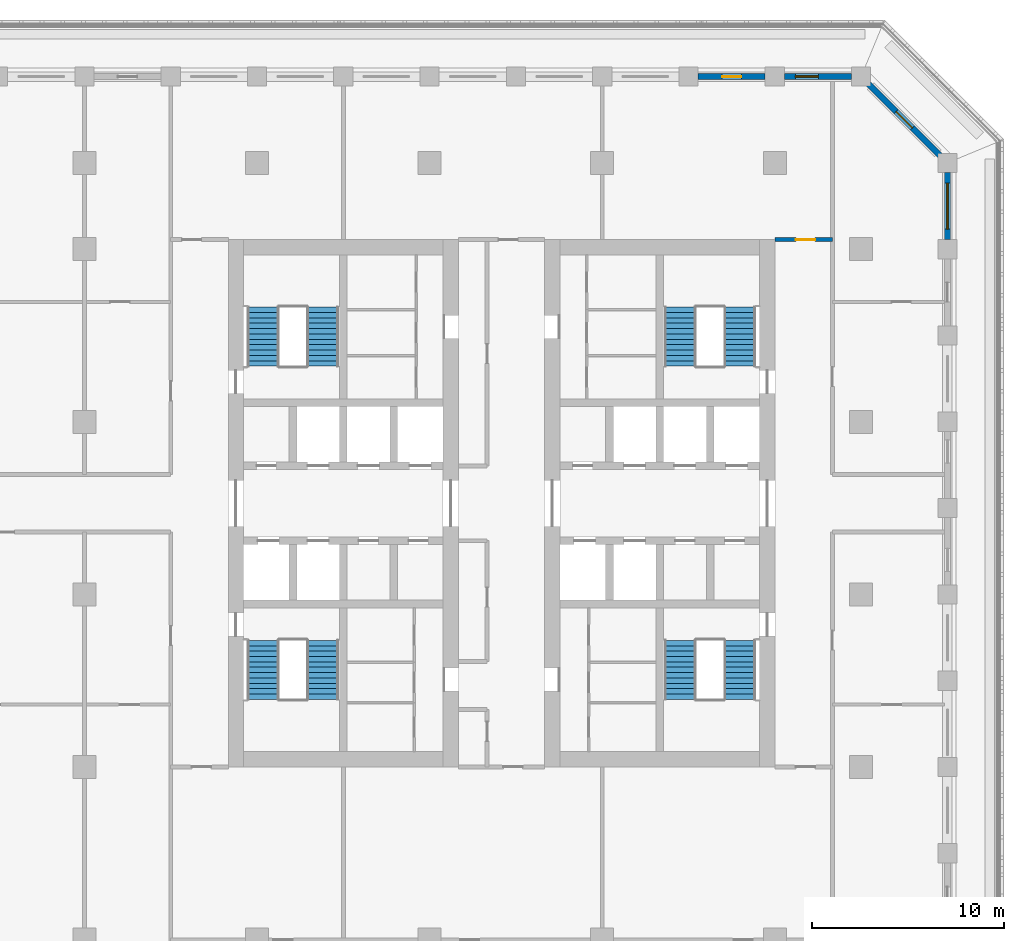
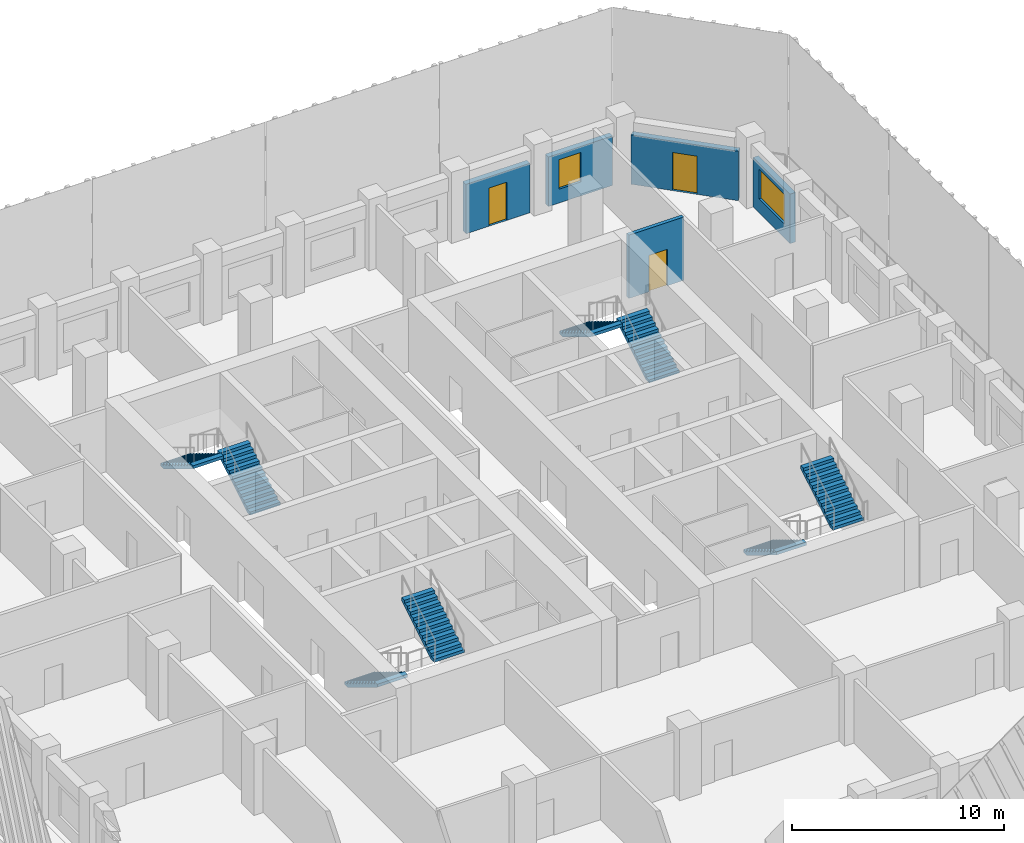
# One storey, part 8 of 16: 8 stair flights, 5 walls, 3 doors, 2 windows, 5 openings, 4 elements without a shape of their own.
"""IFC4 building model written with IfcOpenShell, lengths in metres."""

from ifc_helpers import new_model, si_unit, direction, frame, frame_2d, origin, place, context, subcontext, project, spatial, polyline, rectangle, outline, extrude, material, layer, layer_set, type_object, element, fill, aggregate, save


model = new_model("IFC4")

# Units and contexts
model_context = context("Model", 3, precision=1e-05, world=origin(), true_north=direction((0.0, 1.0)))
body_context = subcontext(model_context, "Body", "Model", "MODEL_VIEW")
ifc_project = project(units=[si_unit("LENGTHUNIT", "METRE"), si_unit("AREAUNIT", "SQUARE_METRE"), si_unit("VOLUMEUNIT", "CUBIC_METRE"), si_unit("PLANEANGLEUNIT", "RADIAN"), si_unit("MASSUNIT", "GRAM", prefix="KILO")], contexts=[model_context])

# Site, building, storey
site_placement = place(None, origin())
site = spatial("IfcSite", under=ifc_project, at=site_placement, CompositionType="ELEMENT")
building_placement = place(site_placement, origin())
building = spatial("IfcBuilding", under=site, at=building_placement, Name="Corbel Stack Research Tower", CompositionType="ELEMENT")
storey_placement = place(building_placement, frame((0.0, 0.0, 173.199951171875)))
storey = spatial("IfcBuildingStorey", under=building, at=storey_placement, Name="L39", CompositionType="ELEMENT", Elevation=173.199951171875)

# Wall, opening, door
ifc_material_1 = material(Name="Fire-rated gypsum board partition on steel studs", Category="steel")
ifc_layer_1 = layer(ifc_material_1, 0.199951171875)
ifc_layer_set_1 = layer_set([ifc_layer_1], Name="Fire-rated gypsum board partition on steel studs")
wall_type_1 = type_object("IfcWallType", Name="Fire-rated partition 200 EI 60", PredefinedType="PARTITIONING", material=ifc_layer_set_1)
wall_1_placement = place(storey_placement, frame((18.0, 18.5, 0.0), z_axis=(0.0, 0.0, 1.0), x_axis=(1.0, 0.0, 0.0)))
wall_1 = element("IfcWall", 1, at=wall_1_placement, inside=storey, type_object=wall_type_1, Name="Partition L39-044", PredefinedType="PARTITIONING", context=body_context, shape_type="SweptSolid", body=[
    extrude(rectangle(XDim=3.0, YDim=0.199951171875, at=frame_2d((1.5, 0.0))), origin(), (0.0, 0.0, 1.0), 3.650146484375),
])
opening_1_placement = place(wall_1_placement, frame((1.10009765625, 0.0, 0.0)))
opening_1 = element("IfcOpeningElement", 2, at=opening_1_placement, cuts=wall_1, Name="Opening B5V1-022", PredefinedType="OPENING", context=body_context, shape_type="SweptSolid", body=[
    extrude(rectangle(XDim=1.0, YDim=2.10009765625, at=frame_2d((0.5, 1.050048828125))), frame((0.0, 0.10986328125, 0.0), z_axis=(0.0, -1.0, 0.0), x_axis=(1.0, 0.0, 0.0)), (0.0, 0.0, 1.0), 0.219970703125),
])
ifc_material_2 = material(Name="Painted steel fire door", Category="steel")
door_type_1 = type_object("IfcDoorType", Name="Fire door FD30S 1000 x 2100", OperationType="NOTDEFINED", PredefinedType="DOOR", material=ifc_material_2)
door_1_placement = place(opening_1_placement, origin())
door_1 = element("IfcDoor", 3, at=door_1_placement, inside=storey, type_object=door_type_1, Name="Door B5V1-022", OperationType="SINGLE_SWING_RIGHT", OverallHeight=2.10009765625, OverallWidth=1.0, PredefinedType="DOOR", context=body_context, shape_type="SweptSolid", body=[
    extrude(rectangle(XDim=1.0, YDim=2.10009765625, at=frame_2d((0.5, 1.050048828125))), frame((0.0, 0.02490234375, 0.0), z_axis=(0.0, -1.0, 0.0), x_axis=(1.0, 0.0, 0.0)), (0.0, 0.0, 1.0), 0.050048828125),
])
fill(opening_1, door_1)

# Wall, opening, window
ifc_material_3 = material(Name="Concrete C45/55", Category="concrete")
ifc_layer_2 = layer(ifc_material_3, 0.300048828125)
ifc_layer_set_2 = layer_set([ifc_layer_2], Name="Concrete C45/55")
wall_type_2 = type_object("IfcWallType", Name="Terracotta-faced concrete wall 300", PredefinedType="SOLIDWALL", material=ifc_layer_set_2)
wall_2_placement = place(storey_placement, frame((27.0, 22.0, 0.0), z_axis=(0.0, 0.0, 1.0), x_axis=(0.0, -1.0, 0.0)))
wall_2 = element("IfcWall", 4, at=wall_2_placement, inside=storey, type_object=wall_type_2, Name="Facade wall L39 E10", PredefinedType="SOLIDWALL", context=body_context, shape_type="SweptSolid", body=[
    extrude(rectangle(XDim=3.5, YDim=0.300048828125, at=frame_2d((1.75, 0.0))), origin(), (0.0, 0.0, 1.0), 2.85009765625),
])
opening_2_placement = place(wall_2_placement, frame((0.550048828125, 0.0, 0.800048828125)))
opening_2 = element("IfcOpeningElement", 5, at=opening_2_placement, cuts=wall_2, Name="Opening W1", PredefinedType="OPENING", context=body_context, shape_type="SweptSolid", body=[
    extrude(rectangle(XDim=2.39990234375, YDim=1.699951171875, at=frame_2d((1.199951171875, 0.85009765625))), frame((0.0, 0.159912109375, 0.0), z_axis=(0.0, -1.0, 0.0), x_axis=(1.0, 0.0, 0.0)), (0.0, 0.0, 1.0), 0.320068359375),
])
ifc_material_4 = material(Name="Aluminium frame, clear double glazing", Category="aluminium")
window_type_1 = type_object("IfcWindowType", Name="Window W1 2400 x 1700", PartitioningType="SINGLE_PANEL", PredefinedType="WINDOW", material=ifc_material_4)
window_1_placement = place(opening_2_placement, origin())
window_1 = element("IfcWindow", 6, at=window_1_placement, inside=storey, type_object=window_type_1, Name="Window W1 L39 E10", OverallHeight=1.699951171875, OverallWidth=2.39990234375, PartitioningType="SINGLE_PANEL", PredefinedType="WINDOW", context=body_context, shape_type="SweptSolid", body=[
    extrude(rectangle(XDim=2.39990234375, YDim=1.699951171875, at=frame_2d((1.199951171875, 0.85009765625))), frame((0.0, 0.030029296875, 0.0), z_axis=(0.0, -1.0, 0.0), x_axis=(1.0, 0.0, 0.0)), (0.0, 0.0, 1.0), 0.06005859375),
])
fill(opening_2, window_1)

# Wall, opening, door
wall_3_placement = place(storey_placement, frame((22.893798828125, 26.606201171875, 0.0), z_axis=(0.0, 0.0, 1.0), x_axis=(0.707106781187, -0.707106781187, 0.0)))
wall_3 = element("IfcWall", 7, at=wall_3_placement, inside=storey, type_object=wall_type_2, Name="Facade wall L39 NE01", PredefinedType="SOLIDWALL", context=body_context, shape_type="SweptSolid", body=[
    extrude(rectangle(XDim=5.250244140625, YDim=0.300048828125, at=frame_2d((2.625, 0.0))), origin(), (0.0, 0.0, 1.0), 2.85009765625),
])
opening_3_placement = place(wall_3_placement, frame((2.02490234375, 0.0, 0.0)))
opening_3 = element("IfcOpeningElement", 8, at=opening_3_placement, cuts=wall_3, Name="Opening L39-B06", PredefinedType="OPENING", context=body_context, shape_type="SweptSolid", body=[
    extrude(rectangle(XDim=1.199951171875, YDim=2.199951171875, at=frame_2d((0.60009765625, 1.10009765625))), frame((0.0, 0.159912109375, 0.0), z_axis=(0.0, -1.0, 0.0), x_axis=(1.0, 0.0, 0.0)), (0.0, 0.0, 1.0), 0.320068359375),
])
ifc_material_5 = material(Name="Aluminium frame, clear double glazing", Category="aluminium")
door_type_2 = type_object("IfcDoorType", Name="Balcony door BD2 1200 x 2200", OperationType="NOTDEFINED", PredefinedType="DOOR", material=ifc_material_5)
door_2_placement = place(opening_3_placement, origin())
door_2 = element("IfcDoor", 9, at=door_2_placement, inside=storey, type_object=door_type_2, Name="Balcony door L39-B06", OperationType="SINGLE_SWING_RIGHT", OverallHeight=2.199951171875, OverallWidth=1.199951171875, PredefinedType="DOOR", context=body_context, shape_type="SweptSolid", body=[
    extrude(rectangle(XDim=1.199951171875, YDim=2.199951171875, at=frame_2d((0.60009765625, 1.10009765625))), frame((0.0, 0.02490234375, 0.0), z_axis=(0.0, -1.0, 0.0), x_axis=(1.0, 0.0, 0.0)), (0.0, 0.0, 1.0), 0.050048828125),
])
fill(opening_3, door_2)

# Wall, opening, window
wall_4_placement = place(storey_placement, frame((18.5, 27.0, 0.0), z_axis=(0.0, 0.0, 1.0), x_axis=(1.0, 0.0, 0.0)))
wall_4 = element("IfcWall", 10, at=wall_4_placement, inside=storey, type_object=wall_type_2, Name="Facade wall L39 N01", PredefinedType="SOLIDWALL", context=body_context, shape_type="SweptSolid", body=[
    extrude(rectangle(XDim=3.5, YDim=0.300048828125, at=frame_2d((1.75, 0.0))), origin(), (0.0, 0.0, 1.0), 2.85009765625),
])
opening_4_placement = place(wall_4_placement, frame((0.574951171875, 0.0, 0.800048828125)))
opening_4 = element("IfcOpeningElement", 11, at=opening_4_placement, cuts=wall_4, Name="Opening W2", PredefinedType="OPENING", context=body_context, shape_type="SweptSolid", body=[
    extrude(rectangle(XDim=1.199951171875, YDim=1.699951171875, at=frame_2d((0.60009765625, 0.85009765625))), frame((0.0, 0.159912109375, 0.0), z_axis=(0.0, -1.0, 0.0), x_axis=(1.0, 0.0, 0.0)), (0.0, 0.0, 1.0), 0.320068359375),
])
ifc_material_6 = material(Name="Aluminium frame, clear double glazing", Category="aluminium")
window_type_2 = type_object("IfcWindowType", Name="Window W2 1200 x 1700", PartitioningType="SINGLE_PANEL", PredefinedType="WINDOW", material=ifc_material_6)
window_2_placement = place(opening_4_placement, origin())
window_2 = element("IfcWindow", 12, at=window_2_placement, inside=storey, type_object=window_type_2, Name="Window W2 L39 N01", OverallHeight=1.699951171875, OverallWidth=1.199951171875, PartitioningType="SINGLE_PANEL", PredefinedType="WINDOW", context=body_context, shape_type="SweptSolid", body=[
    extrude(rectangle(XDim=1.199951171875, YDim=1.699951171875, at=frame_2d((0.60009765625, 0.85009765625))), frame((0.0, 0.030029296875, 0.0), z_axis=(0.0, -1.0, 0.0), x_axis=(1.0, 0.0, 0.0)), (0.0, 0.0, 1.0), 0.06005859375),
])
fill(opening_4, window_2)

# Wall, opening, door
wall_5_placement = place(storey_placement, frame((14.0, 27.0, 0.0), z_axis=(0.0, 0.0, 1.0), x_axis=(1.0, 0.0, 0.0)))
wall_5 = element("IfcWall", 13, at=wall_5_placement, inside=storey, type_object=wall_type_2, Name="Facade wall L39 N02", PredefinedType="SOLIDWALL", context=body_context, shape_type="SweptSolid", body=[
    extrude(rectangle(XDim=3.5, YDim=0.300048828125, at=frame_2d((1.75, 0.0))), origin(), (0.0, 0.0, 1.0), 2.85009765625),
])
opening_5_placement = place(wall_5_placement, frame((1.25, 0.0, 0.0)))
opening_5 = element("IfcOpeningElement", 14, at=opening_5_placement, cuts=wall_5, Name="Opening L39-B07", PredefinedType="OPENING", context=body_context, shape_type="SweptSolid", body=[
    extrude(rectangle(XDim=1.0, YDim=2.199951171875, at=frame_2d((0.5, 1.10009765625))), frame((0.0, 0.159912109375, 0.0), z_axis=(0.0, -1.0, 0.0), x_axis=(1.0, 0.0, 0.0)), (0.0, 0.0, 1.0), 0.320068359375),
])
ifc_material_7 = material(Name="Aluminium frame, clear double glazing", Category="aluminium")
door_type_3 = type_object("IfcDoorType", Name="Balcony door BD1 1000 x 2200", OperationType="NOTDEFINED", PredefinedType="DOOR", material=ifc_material_7)
door_3_placement = place(opening_5_placement, origin())
door_3 = element("IfcDoor", 15, at=door_3_placement, inside=storey, type_object=door_type_3, Name="Balcony door L39-B07", OperationType="SINGLE_SWING_LEFT", OverallHeight=2.199951171875, OverallWidth=1.0, PredefinedType="DOOR", context=body_context, shape_type="SweptSolid", body=[
    extrude(rectangle(XDim=1.0, YDim=2.199951171875, at=frame_2d((0.5, 1.10009765625))), frame((0.0, 0.02490234375, 0.0), z_axis=(0.0, -1.0, 0.0), x_axis=(1.0, 0.0, 0.0)), (0.0, 0.0, 1.0), 0.050048828125),
])
fill(opening_5, door_3)

# Stair, stair flights
ifc_material_8 = material(Name="Concrete C40/50", Category="concrete")
stair_type = type_object("IfcStairType", Name="Exit stair 24 risers", PredefinedType="HALF_TURN_STAIR", material=ifc_material_8)
stair_1_placement = place(storey_placement, origin())
stair_1 = element("IfcStair", 16, at=stair_1_placement, inside=storey, type_object=stair_type, Name="L39 Exit stair ST-W1", PredefinedType="HALF_TURN_STAIR")
ifc_material_9 = material(Name="Concrete C40/50", Category="concrete")
stair_flight_type = type_object("IfcStairFlightType", Name="Stair flight 12 risers", PredefinedType="STRAIGHT", material=ifc_material_9)
stair_flight_1_placement = place(storey_placement, frame((-8.675048828125, -2.39990234375, 0.0), z_axis=(0.0, 0.0, 1.0), x_axis=(0.0, -1.0, 0.0)))
stair_flight_1 = element("IfcStairFlight", 17, at=stair_flight_1_placement, type_object=stair_flight_type, Name="ST-W1 flight 1", NumberOfRisers=12, NumberOfTreads=11, PredefinedType="STRAIGHT", RiserHeight=0.170833333, TreadLength=0.28, context=body_context, shape_type="SweptSolid", body=[
    extrude(outline(polyline([(0.0, 0.0), (0.0, 0.1708984375), (0.280029296875, 0.1708984375), (0.280029296875, 0.341552734375), (0.56005859375, 0.341552734375), (0.56005859375, 0.512451171875), (0.840087890625, 0.512451171875), (0.840087890625, 0.683349609375), (1.1201171875, 0.683349609375), (1.1201171875, 0.854248046875), (1.39990234375, 0.854248046875), (1.39990234375, 1.02490234375), (1.679931640625, 1.02490234375), (1.679931640625, 1.19580078125), (1.9599609375, 1.19580078125), (1.9599609375, 1.36669921875), (2.239990234375, 1.36669921875), (2.239990234375, 1.53759765625), (2.52001953125, 1.53759765625), (2.52001953125, 1.708251953125), (2.800048828125, 1.708251953125), (2.800048828125, 1.879150390625), (3.080078125, 1.879150390625), (3.080078125, 2.050048828125), (3.080078125, 1.70361328125), (0.287841796875, 0.0), (0.0, 0.0)])), frame((0.0, 0.824951171875, 0.0), z_axis=(0.0, -1.0, 0.0), x_axis=(1.0, 0.0, 0.0)), (0.0, 0.0, 1.0), 1.64990234375),
])
stair_flight_2_placement = place(storey_placement, frame((-5.574951171875, -5.47998046875, 2.050048828125), z_axis=(0.0, 0.0, 1.0), x_axis=(0.0, 1.0, 0.0)))
stair_flight_2 = element("IfcStairFlight", 18, at=stair_flight_2_placement, type_object=stair_flight_type, Name="ST-W1 flight 2", NumberOfRisers=12, NumberOfTreads=11, PredefinedType="STRAIGHT", RiserHeight=0.170833333, TreadLength=0.28, context=body_context, shape_type="SweptSolid", body=[
    extrude(outline(polyline([(0.0, 0.0), (0.0, 0.1708984375), (0.280029296875, 0.1708984375), (0.280029296875, 0.341552734375), (0.56005859375, 0.341552734375), (0.56005859375, 0.512451171875), (0.840087890625, 0.512451171875), (0.840087890625, 0.683349609375), (1.1201171875, 0.683349609375), (1.1201171875, 0.854248046875), (1.39990234375, 0.854248046875), (1.39990234375, 1.02490234375), (1.679931640625, 1.02490234375), (1.679931640625, 1.19580078125), (1.9599609375, 1.19580078125), (1.9599609375, 1.36669921875), (2.239990234375, 1.36669921875), (2.239990234375, 1.53759765625), (2.52001953125, 1.53759765625), (2.52001953125, 1.708251953125), (2.800048828125, 1.708251953125), (2.800048828125, 1.879150390625), (3.080078125, 1.879150390625), (3.080078125, 2.050048828125), (3.080078125, 1.70361328125), (0.287841796875, 0.0), (0.0, 0.0)])), frame((0.0, 0.824951171875, 0.0), z_axis=(0.0, -1.0, 0.0), x_axis=(1.0, 0.0, 0.0)), (0.0, 0.0, 1.0), 1.64990234375),
])
aggregate(stair_1, [stair_flight_1, stair_flight_2])

stair_2_placement = place(storey_placement, origin())
stair_2 = element("IfcStair", 19, at=stair_2_placement, inside=storey, type_object=stair_type, Name="L39 Exit stair ST-W2", PredefinedType="HALF_TURN_STAIR")
stair_flight_3_placement = place(storey_placement, frame((-5.574951171875, 11.89990234375, 0.0), z_axis=(0.0, 0.0, 1.0), x_axis=(0.0, 1.0, 0.0)))
stair_flight_3 = element("IfcStairFlight", 20, at=stair_flight_3_placement, type_object=stair_flight_type, Name="ST-W2 flight 1", NumberOfRisers=12, NumberOfTreads=11, PredefinedType="STRAIGHT", RiserHeight=0.170833333, TreadLength=0.28, context=body_context, shape_type="SweptSolid", body=[
    extrude(outline(polyline([(0.0, 0.0), (0.0, 0.1708984375), (0.280029296875, 0.1708984375), (0.280029296875, 0.341552734375), (0.56005859375, 0.341552734375), (0.56005859375, 0.512451171875), (0.840087890625, 0.512451171875), (0.840087890625, 0.683349609375), (1.1201171875, 0.683349609375), (1.1201171875, 0.854248046875), (1.39990234375, 0.854248046875), (1.39990234375, 1.02490234375), (1.679931640625, 1.02490234375), (1.679931640625, 1.19580078125), (1.9599609375, 1.19580078125), (1.9599609375, 1.36669921875), (2.239990234375, 1.36669921875), (2.239990234375, 1.53759765625), (2.52001953125, 1.53759765625), (2.52001953125, 1.708251953125), (2.800048828125, 1.708251953125), (2.800048828125, 1.879150390625), (3.080078125, 1.879150390625), (3.080078125, 2.050048828125), (3.080078125, 1.70361328125), (0.287841796875, 0.0), (0.0, 0.0)])), frame((0.0, 0.824951171875, 0.0), z_axis=(0.0, -1.0, 0.0), x_axis=(1.0, 0.0, 0.0)), (0.0, 0.0, 1.0), 1.64990234375),
])
stair_flight_4_placement = place(storey_placement, frame((-8.675048828125, 14.97998046875, 2.050048828125), z_axis=(0.0, 0.0, 1.0), x_axis=(0.0, -1.0, 0.0)))
stair_flight_4 = element("IfcStairFlight", 21, at=stair_flight_4_placement, type_object=stair_flight_type, Name="ST-W2 flight 2", NumberOfRisers=12, NumberOfTreads=11, PredefinedType="STRAIGHT", RiserHeight=0.170833333, TreadLength=0.28, context=body_context, shape_type="SweptSolid", body=[
    extrude(outline(polyline([(0.0, 0.0), (0.0, 0.1708984375), (0.280029296875, 0.1708984375), (0.280029296875, 0.341552734375), (0.56005859375, 0.341552734375), (0.56005859375, 0.512451171875), (0.840087890625, 0.512451171875), (0.840087890625, 0.683349609375), (1.1201171875, 0.683349609375), (1.1201171875, 0.854248046875), (1.39990234375, 0.854248046875), (1.39990234375, 1.02490234375), (1.679931640625, 1.02490234375), (1.679931640625, 1.19580078125), (1.9599609375, 1.19580078125), (1.9599609375, 1.36669921875), (2.239990234375, 1.36669921875), (2.239990234375, 1.53759765625), (2.52001953125, 1.53759765625), (2.52001953125, 1.708251953125), (2.800048828125, 1.708251953125), (2.800048828125, 1.879150390625), (3.080078125, 1.879150390625), (3.080078125, 2.050048828125), (3.080078125, 1.70361328125), (0.287841796875, 0.0), (0.0, 0.0)])), frame((0.0, 0.824951171875, 0.0), z_axis=(0.0, -1.0, 0.0), x_axis=(1.0, 0.0, 0.0)), (0.0, 0.0, 1.0), 1.64990234375),
])
aggregate(stair_2, [stair_flight_3, stair_flight_4])

stair_3_placement = place(storey_placement, origin())
stair_3 = element("IfcStair", 22, at=stair_3_placement, inside=storey, type_object=stair_type, Name="L39 Exit stair ST-E1", PredefinedType="HALF_TURN_STAIR")
stair_flight_5_placement = place(storey_placement, frame((13.074951171875, -2.39990234375, 0.0), z_axis=(0.0, 0.0, 1.0), x_axis=(0.0, -1.0, 0.0)))
stair_flight_5 = element("IfcStairFlight", 23, at=stair_flight_5_placement, type_object=stair_flight_type, Name="ST-E1 flight 1", NumberOfRisers=12, NumberOfTreads=11, PredefinedType="STRAIGHT", RiserHeight=0.170833333, TreadLength=0.28, context=body_context, shape_type="SweptSolid", body=[
    extrude(outline(polyline([(0.0, 0.0), (0.0, 0.1708984375), (0.280029296875, 0.1708984375), (0.280029296875, 0.341552734375), (0.56005859375, 0.341552734375), (0.56005859375, 0.512451171875), (0.840087890625, 0.512451171875), (0.840087890625, 0.683349609375), (1.1201171875, 0.683349609375), (1.1201171875, 0.854248046875), (1.39990234375, 0.854248046875), (1.39990234375, 1.02490234375), (1.679931640625, 1.02490234375), (1.679931640625, 1.19580078125), (1.9599609375, 1.19580078125), (1.9599609375, 1.36669921875), (2.239990234375, 1.36669921875), (2.239990234375, 1.53759765625), (2.52001953125, 1.53759765625), (2.52001953125, 1.708251953125), (2.800048828125, 1.708251953125), (2.800048828125, 1.879150390625), (3.080078125, 1.879150390625), (3.080078125, 2.050048828125), (3.080078125, 1.70361328125), (0.287841796875, 0.0), (0.0, 0.0)])), frame((0.0, 0.824951171875, 0.0), z_axis=(0.0, -1.0, 0.0), x_axis=(1.0, 0.0, 0.0)), (0.0, 0.0, 1.0), 1.64990234375),
])
stair_flight_6_placement = place(storey_placement, frame((16.175048828125, -5.47998046875, 2.050048828125), z_axis=(0.0, 0.0, 1.0), x_axis=(0.0, 1.0, 0.0)))
stair_flight_6 = element("IfcStairFlight", 24, at=stair_flight_6_placement, type_object=stair_flight_type, Name="ST-E1 flight 2", NumberOfRisers=12, NumberOfTreads=11, PredefinedType="STRAIGHT", RiserHeight=0.170833333, TreadLength=0.28, context=body_context, shape_type="SweptSolid", body=[
    extrude(outline(polyline([(0.0, 0.0), (0.0, 0.1708984375), (0.280029296875, 0.1708984375), (0.280029296875, 0.341552734375), (0.56005859375, 0.341552734375), (0.56005859375, 0.512451171875), (0.840087890625, 0.512451171875), (0.840087890625, 0.683349609375), (1.1201171875, 0.683349609375), (1.1201171875, 0.854248046875), (1.39990234375, 0.854248046875), (1.39990234375, 1.02490234375), (1.679931640625, 1.02490234375), (1.679931640625, 1.19580078125), (1.9599609375, 1.19580078125), (1.9599609375, 1.36669921875), (2.239990234375, 1.36669921875), (2.239990234375, 1.53759765625), (2.52001953125, 1.53759765625), (2.52001953125, 1.708251953125), (2.800048828125, 1.708251953125), (2.800048828125, 1.879150390625), (3.080078125, 1.879150390625), (3.080078125, 2.050048828125), (3.080078125, 1.70361328125), (0.287841796875, 0.0), (0.0, 0.0)])), frame((0.0, 0.824951171875, 0.0), z_axis=(0.0, -1.0, 0.0), x_axis=(1.0, 0.0, 0.0)), (0.0, 0.0, 1.0), 1.64990234375),
])
aggregate(stair_3, [stair_flight_5, stair_flight_6])

stair_4_placement = place(storey_placement, origin())
stair_4 = element("IfcStair", 25, at=stair_4_placement, inside=storey, type_object=stair_type, Name="L39 Exit stair ST-E2", PredefinedType="HALF_TURN_STAIR")
stair_flight_7_placement = place(storey_placement, frame((16.175048828125, 11.89990234375, 0.0), z_axis=(0.0, 0.0, 1.0), x_axis=(0.0, 1.0, 0.0)))
stair_flight_7 = element("IfcStairFlight", 26, at=stair_flight_7_placement, type_object=stair_flight_type, Name="ST-E2 flight 1", NumberOfRisers=12, NumberOfTreads=11, PredefinedType="STRAIGHT", RiserHeight=0.170833333, TreadLength=0.28, context=body_context, shape_type="SweptSolid", body=[
    extrude(outline(polyline([(0.0, 0.0), (0.0, 0.1708984375), (0.280029296875, 0.1708984375), (0.280029296875, 0.341552734375), (0.56005859375, 0.341552734375), (0.56005859375, 0.512451171875), (0.840087890625, 0.512451171875), (0.840087890625, 0.683349609375), (1.1201171875, 0.683349609375), (1.1201171875, 0.854248046875), (1.39990234375, 0.854248046875), (1.39990234375, 1.02490234375), (1.679931640625, 1.02490234375), (1.679931640625, 1.19580078125), (1.9599609375, 1.19580078125), (1.9599609375, 1.36669921875), (2.239990234375, 1.36669921875), (2.239990234375, 1.53759765625), (2.52001953125, 1.53759765625), (2.52001953125, 1.708251953125), (2.800048828125, 1.708251953125), (2.800048828125, 1.879150390625), (3.080078125, 1.879150390625), (3.080078125, 2.050048828125), (3.080078125, 1.70361328125), (0.287841796875, 0.0), (0.0, 0.0)])), frame((0.0, 0.824951171875, 0.0), z_axis=(0.0, -1.0, 0.0), x_axis=(1.0, 0.0, 0.0)), (0.0, 0.0, 1.0), 1.64990234375),
])
stair_flight_8_placement = place(storey_placement, frame((13.074951171875, 14.97998046875, 2.050048828125), z_axis=(0.0, 0.0, 1.0), x_axis=(0.0, -1.0, 0.0)))
stair_flight_8 = element("IfcStairFlight", 27, at=stair_flight_8_placement, type_object=stair_flight_type, Name="ST-E2 flight 2", NumberOfRisers=12, NumberOfTreads=11, PredefinedType="STRAIGHT", RiserHeight=0.170833333, TreadLength=0.28, context=body_context, shape_type="SweptSolid", body=[
    extrude(outline(polyline([(0.0, 0.0), (0.0, 0.1708984375), (0.280029296875, 0.1708984375), (0.280029296875, 0.341552734375), (0.56005859375, 0.341552734375), (0.56005859375, 0.512451171875), (0.840087890625, 0.512451171875), (0.840087890625, 0.683349609375), (1.1201171875, 0.683349609375), (1.1201171875, 0.854248046875), (1.39990234375, 0.854248046875), (1.39990234375, 1.02490234375), (1.679931640625, 1.02490234375), (1.679931640625, 1.19580078125), (1.9599609375, 1.19580078125), (1.9599609375, 1.36669921875), (2.239990234375, 1.36669921875), (2.239990234375, 1.53759765625), (2.52001953125, 1.53759765625), (2.52001953125, 1.708251953125), (2.800048828125, 1.708251953125), (2.800048828125, 1.879150390625), (3.080078125, 1.879150390625), (3.080078125, 2.050048828125), (3.080078125, 1.70361328125), (0.287841796875, 0.0), (0.0, 0.0)])), frame((0.0, 0.824951171875, 0.0), z_axis=(0.0, -1.0, 0.0), x_axis=(1.0, 0.0, 0.0)), (0.0, 0.0, 1.0), 1.64990234375),
])
aggregate(stair_4, [stair_flight_7, stair_flight_8])

save(model, "model.ifc")
